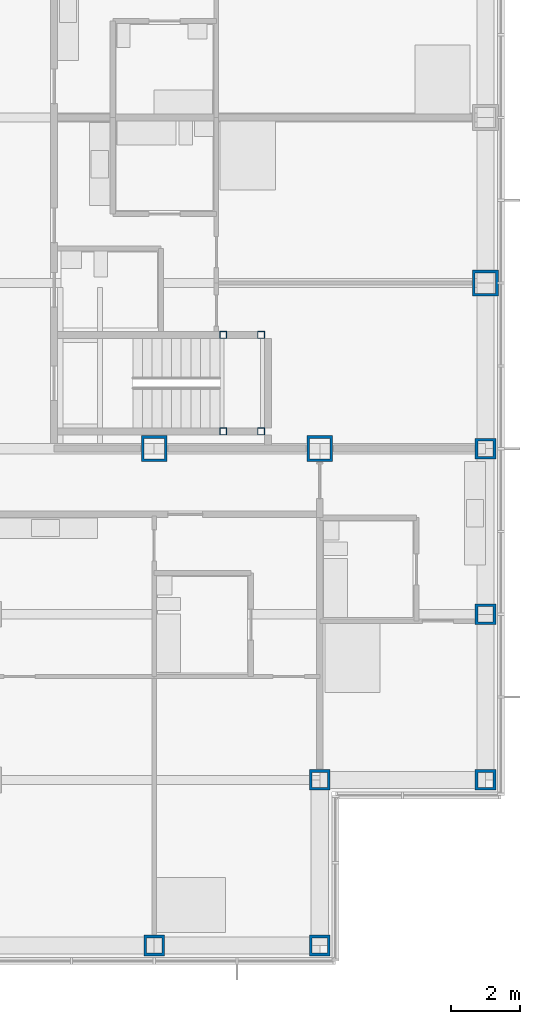
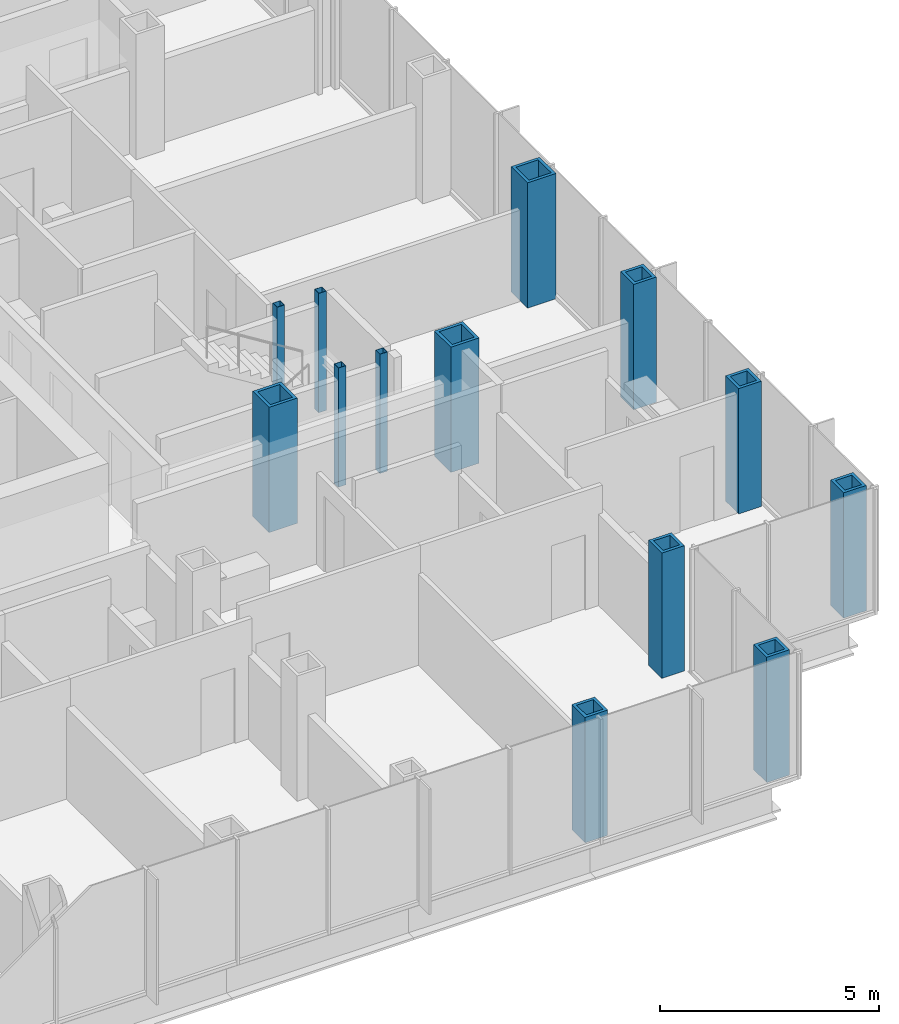
# One storey, part 4 of 21: 13 columns.
"""IFC4 building model written with IfcOpenShell, lengths in metres."""

from ifc_helpers import new_model, si_unit, direction, frame, origin, origin_2d, place, context, subcontext, project, spatial, hollow_rectangle, extrude, material, material_profile, profile_set, type_object, element, save


model = new_model("IFC4")

# Units and contexts
model_context = context("Model", 3, precision=1e-05, world=origin(), true_north=direction((0.0, 1.0)))
body_context = subcontext(model_context, "Body", "Model", "MODEL_VIEW")
ifc_project = project(units=[si_unit("LENGTHUNIT", "METRE"), si_unit("AREAUNIT", "SQUARE_METRE"), si_unit("VOLUMEUNIT", "CUBIC_METRE"), si_unit("PLANEANGLEUNIT", "RADIAN"), si_unit("MASSUNIT", "GRAM", prefix="KILO")], contexts=[model_context])

# Site, building, storey
site_placement = place(None, origin())
site = spatial("IfcSite", under=ifc_project, at=site_placement, CompositionType="ELEMENT")
building_placement = place(site_placement, origin())
building = spatial("IfcBuilding", under=site, at=building_placement, Name="Kvirike Care Tower", CompositionType="ELEMENT")
storey_placement = place(building_placement, frame((0.0, 0.0, 37.5)))
storey = spatial("IfcBuildingStorey", under=building, at=storey_placement, Name="L09", CompositionType="ELEMENT", Elevation=37.5)

# Columns
ifc_material_1 = material(Name="Steel S460", Category="steel")
ifc_material_profile_1 = material_profile(ifc_material_1, hollow_rectangle(XDim=0.60009765625, YDim=0.60009765625, WallThickness=0.080078125, at=origin_2d()), Name="BX 600x600x80")
ifc_profile_set_1 = profile_set([ifc_material_profile_1], Name="Steel S460")
column_type_1 = type_object("IfcColumnType", Name="COLUMN BX 600x600x80", PredefinedType="COLUMN", material=ifc_profile_set_1)
for number, where, z_axis, x_axis, name in (
    (1, (33.60009765625, 14.39990234375, 0.0), (0.0, 0.0, 1.0), (0.0, 1.0, 0.0), "Column D10 L09"),
    (2, (38.39990234375, 14.39990234375, 0.0), (0.0, 0.0, 1.0), (0.0, 1.0, 0.0), "Column D11 L09"),
    (3, (38.39990234375, 19.199951171875, 0.0), (0.0, 0.0, 1.0), (0.0, 1.0, 0.0), "Column E11 L09"),
    (4, (43.199951171875, 19.199951171875, 0.0), (0.0, 0.0, 1.0), (0.0, 1.0, 0.0), "Column E12 L09"),
    (5, (43.199951171875, 24.0, 0.0), (0.0, 0.0, 1.0), (1.0, 0.0, 0.0), "Column F12 L09"),
    (6, (43.199951171875, 28.800048828125, 0.0), (0.0, 0.0, 1.0), (0.0, 1.0, 0.0), "Column G12 L09"),
):
    element("IfcColumn", number, at=place(storey_placement, frame(where, z_axis=z_axis, x_axis=x_axis)), inside=storey, type_object=column_type_1, Name=name, PredefinedType="COLUMN", context=body_context, shape_type="SweptSolid", body=[
        extrude(hollow_rectangle(XDim=0.60009765625, YDim=0.60009765625, WallThickness=0.080078125, at=origin_2d()), origin(), (0.0, 0.0, 1.0), 3.5),
    ])
ifc_material_2 = material(Name="Steel S460", Category="steel")
ifc_material_profile_2 = material_profile(ifc_material_2, hollow_rectangle(XDim=0.75, YDim=0.75, WallThickness=0.080078125, at=origin_2d()), Name="BX 750x750x80")
ifc_profile_set_2 = profile_set([ifc_material_profile_2], Name="Steel S460")
column_type_2 = type_object("IfcColumnType", Name="COLUMN BX 750x750x80", PredefinedType="COLUMN", material=ifc_profile_set_2)
for number, where, z_axis, x_axis, name in (
    (7, (33.60009765625, 28.800048828125, 0.0), (0.0, 0.0, 1.0), (0.0, 1.0, 0.0), "Column G10 L09"),
    (8, (38.39990234375, 28.800048828125, 0.0), (0.0, 0.0, 1.0), (0.0, 1.0, 0.0), "Column G11 L09"),
    (9, (43.199951171875, 33.60009765625, 0.0), (0.0, 0.0, 1.0), (1.0, 0.0, 0.0), "Column H12 L09"),
):
    element("IfcColumn", number, at=place(storey_placement, frame(where, z_axis=z_axis, x_axis=x_axis)), inside=storey, type_object=column_type_2, Name=name, PredefinedType="COLUMN", context=body_context, shape_type="SweptSolid", body=[
        extrude(hollow_rectangle(XDim=0.75, YDim=0.75, WallThickness=0.080078125, at=origin_2d()), origin(), (0.0, 0.0, 1.0), 3.5),
    ])
ifc_material_3 = material(Name="Steel S460", Category="steel")
ifc_material_profile_3 = material_profile(ifc_material_3, hollow_rectangle(XDim=0.199951171875, YDim=0.199951171875, WallThickness=0.008056640625, at=origin_2d()), Name="SHS 200x200x8")
ifc_profile_set_3 = profile_set([ifc_material_profile_3], Name="Steel S460")
column_type_3 = type_object("IfcColumnType", Name="STAIR POST SHS 200x200x8", PredefinedType="COLUMN", material=ifc_profile_set_3)
for number, where, z_axis, x_axis, name in (
    (10, (36.699951171875, 29.300048828125, 0.0), (0.0, 0.0, 1.0), (1.0, 0.0, 0.0), "Stair 2 post 1 L09"),
    (11, (36.699951171875, 32.10009765625, 0.0), (0.0, 0.0, 1.0), (1.0, 0.0, 0.0), "Stair 2 post 2 L09"),
    (12, (35.60009765625, 29.300048828125, 0.0), (0.0, 0.0, 1.0), (1.0, 0.0, 0.0), "Stair 2 post 3 L09"),
    (13, (35.60009765625, 32.10009765625, 0.0), (0.0, 0.0, 1.0), (1.0, 0.0, 0.0), "Stair 2 post 4 L09"),
):
    element("IfcColumn", number, at=place(storey_placement, frame(where, z_axis=z_axis, x_axis=x_axis)), inside=storey, type_object=column_type_3, Name=name, PredefinedType="COLUMN", context=body_context, shape_type="SweptSolid", body=[
        extrude(hollow_rectangle(XDim=0.199951171875, YDim=0.199951171875, WallThickness=0.008056640625, at=origin_2d()), origin(), (0.0, 0.0, 1.0), 3.330078125),
    ])

save(model, "model.ifc")
